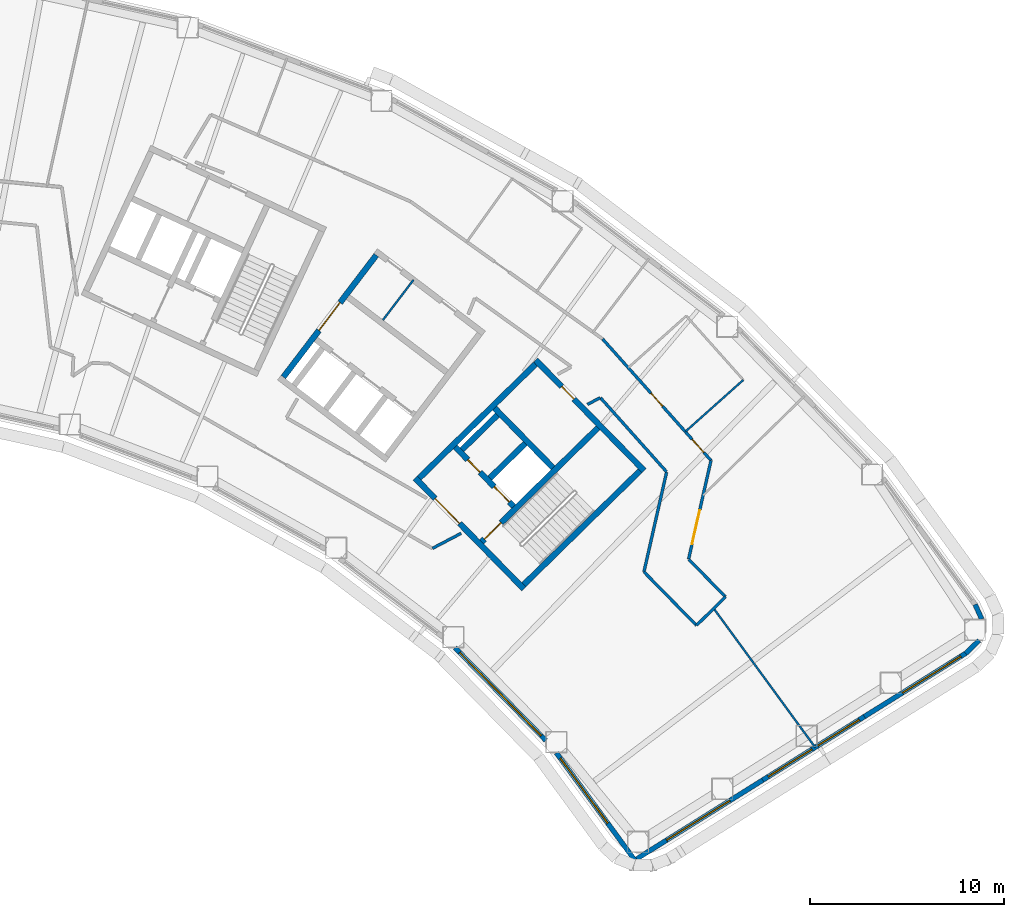
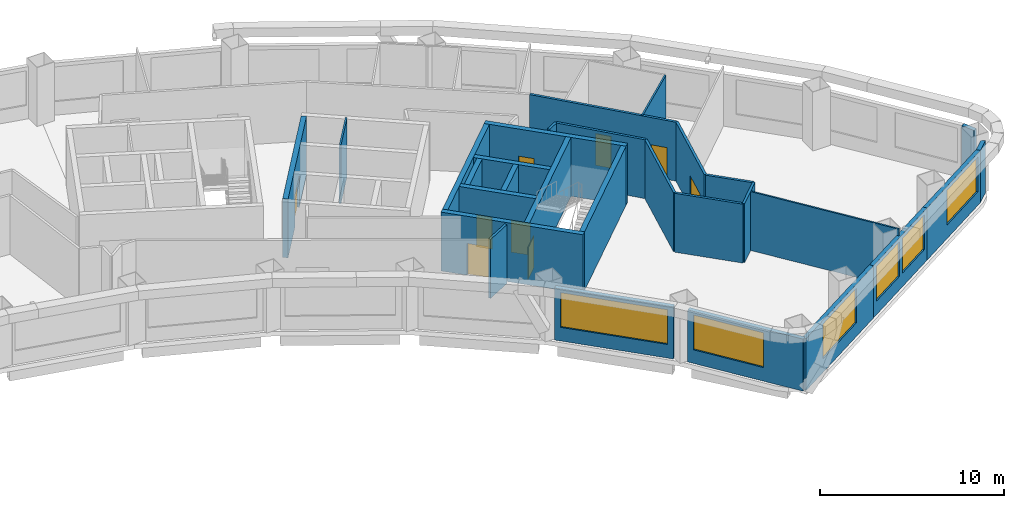
# One storey, part 6 of 13: 29 walls, 9 doors, 6 windows, 15 openings.
"""IFC4 building model written with IfcOpenShell, lengths in metres."""

from ifc_helpers import new_model, si_unit, direction, frame, frame_2d, origin, place, context, subcontext, project, spatial, rectangle, extrude, material, layer, layer_set, type_object, element, fill, save


model = new_model("IFC4")

# Units and contexts
model_context = context("Model", 3, precision=1e-05, world=origin(), true_north=direction((0.0, 1.0)))
body_context = subcontext(model_context, "Body", "Model", "MODEL_VIEW")
ifc_project = project(units=[si_unit("LENGTHUNIT", "METRE"), si_unit("AREAUNIT", "SQUARE_METRE"), si_unit("VOLUMEUNIT", "CUBIC_METRE"), si_unit("PLANEANGLEUNIT", "RADIAN"), si_unit("MASSUNIT", "GRAM", prefix="KILO")], contexts=[model_context])

# Site, building, storey
site_placement = place(None, origin())
site = spatial("IfcSite", under=ifc_project, at=site_placement, CompositionType="ELEMENT")
building_placement = place(site_placement, origin())
building = spatial("IfcBuilding", under=site, at=building_placement, Name="Tuul Gate Civic Tower", CompositionType="ELEMENT")
storey_placement = place(building_placement, frame((0.0, 0.0, 111.89990234375)))
storey = spatial("IfcBuildingStorey", under=building, at=storey_placement, Name="Level 25", CompositionType="ELEMENT", Elevation=111.89990234375)

# Wall, opening, door
ifc_material_1 = material(Name="Concrete C50/60", Category="concrete")
ifc_layer_1 = layer(ifc_material_1, 0.300048828125)
ifc_layer_set_1 = layer_set([ifc_layer_1], Name="Concrete C50/60")
wall_type_1 = type_object("IfcWallType", Name="Core wall C50/60", PredefinedType="SHEAR", material=ifc_layer_set_1)
wall_1_placement = place(storey_placement, frame((48.22509765625, -18.327880859375, 0.0), z_axis=(0.0, 0.0, 1.0), x_axis=(-0.700021979774, 0.714121297703, 0.0)))
wall_1 = element("IfcWall", 1, at=wall_1_placement, inside=storey, type_object=wall_type_1, Name="Core wall", PredefinedType="SHEAR", context=body_context, shape_type="SweptSolid", body=[
    extrude(rectangle(XDim=8.0, YDim=0.300048828125, at=frame_2d((4.0, 0.0))), origin(), (0.0, 0.0, 1.0), 3.900146484375),
])
opening_1_placement = place(wall_1_placement, frame((4.72509765625, 0.0, 0.0)))
opening_1 = element("IfcOpeningElement", 2, at=opening_1_placement, cuts=wall_1, Name="Opening LB-E1-LOBBY-1", PredefinedType="OPENING", context=body_context, shape_type="SweptSolid", body=[
    extrude(rectangle(XDim=1.800048828125, YDim=2.10009765625, at=frame_2d((0.89990234375, 1.050048828125))), frame((0.0, 0.16015625, 0.0), z_axis=(0.0, -1.0, 0.0), x_axis=(1.0, 0.0, 0.0)), (0.0, 0.0, 1.0), 0.320068359375),
])
ifc_material_2 = material(Name="Steel", Category="steel")
door_type_1 = type_object("IfcDoorType", Name="Lobby door", OperationType="DOUBLE_DOOR_SINGLE_SWING", PredefinedType="DOOR", material=ifc_material_2)
door_1_placement = place(opening_1_placement, frame((1.800048828125, 0.0, 0.0), z_axis=(0.0, 0.0, 1.0), x_axis=(-1.0, 0.0, 0.0)))
door_1 = element("IfcDoor", 3, at=door_1_placement, inside=storey, type_object=door_type_1, Name="Lobby door E1-LOBBY", OperationType="DOUBLE_DOOR_SINGLE_SWING", OverallHeight=2.10009765625, OverallWidth=1.800048828125, PredefinedType="DOOR", context=body_context, shape_type="SweptSolid", body=[
    extrude(rectangle(XDim=1.800048828125, YDim=2.10009765625, at=frame_2d((0.900146484375, 1.050048828125))), frame((0.0, 0.02490234375, 0.0), z_axis=(0.0, -1.0, 0.0), x_axis=(1.0, 0.0, 0.0)), (0.0, 0.0, 1.0), 0.050048828125),
])
fill(opening_1, door_1)

# Wall, openings, doors
wall_2_placement = place(storey_placement, frame((47.701904296875, -14.079833984375, 0.0), z_axis=(0.0, 0.0, 1.0), x_axis=(-0.700002721075, 0.714140175657, 0.0)))
wall_2 = element("IfcWall", 4, at=wall_2_placement, inside=storey, type_object=wall_type_1, Name="Core wall", PredefinedType="SHEAR", context=body_context, shape_type="SweptSolid", body=[
    extrude(rectangle(XDim=4.300048828125, YDim=0.300048828125, at=frame_2d((2.14990234375, 0.0))), origin(), (0.0, 0.0, 1.0), 3.900146484375),
])
opening_2_placement = place(wall_2_placement, frame((0.324951171875, 0.0, 0.0)))
opening_2 = element("IfcOpeningElement", 5, at=opening_2_placement, cuts=wall_2, Name="Opening LD-L4", PredefinedType="OPENING", context=body_context, shape_type="SweptSolid", body=[
    extrude(rectangle(XDim=1.10009765625, YDim=2.10009765625, at=frame_2d((0.550048828125, 1.050048828125))), frame((0.0, 0.16015625, 0.0), z_axis=(0.0, -1.0, 0.0), x_axis=(1.0, 0.0, 0.0)), (0.0, 0.0, 1.0), 0.320068359375),
])
opening_3_placement = place(wall_2_placement, frame((2.47509765625, 0.0, 0.0)))
opening_3 = element("IfcOpeningElement", 6, at=opening_3_placement, cuts=wall_2, Name="Opening FB-E1A2", PredefinedType="OPENING", context=body_context, shape_type="SweptSolid", body=[
    extrude(rectangle(XDim=0.89990234375, YDim=2.10009765625, at=frame_2d((0.449951171875, 1.050048828125))), frame((0.0, 0.16015625, 0.0), z_axis=(0.0, -1.0, 0.0), x_axis=(1.0, 0.0, 0.0)), (0.0, 0.0, 1.0), 0.320068359375),
])
ifc_material_3 = material(Name="Stainless steel", Category="steel")
door_type_2 = type_object("IfcDoorType", Name="Landing door", OperationType="DOUBLE_DOOR_SLIDING", PredefinedType="DOOR", material=ifc_material_3)
door_2_placement = place(opening_2_placement, origin())
door_2 = element("IfcDoor", 7, at=door_2_placement, inside=storey, type_object=door_type_2, Name="Low-rise lift L4 landing door", OperationType="DOUBLE_DOOR_SLIDING", OverallHeight=2.10009765625, OverallWidth=1.10009765625, PredefinedType="DOOR", context=body_context, shape_type="SweptSolid", body=[
    extrude(rectangle(XDim=1.10009765625, YDim=2.10009765625, at=frame_2d((0.550048828125, 1.050048828125))), frame((0.0, 0.02490234375, 0.0), z_axis=(0.0, -1.0, 0.0), x_axis=(1.0, 0.0, 0.0)), (0.0, 0.0, 1.0), 0.050048828125),
])
fill(opening_2, door_2)
ifc_material_4 = material(Name="Steel", Category="steel")
door_type_3 = type_object("IfcDoorType", Name="Store door", OperationType="NOTDEFINED", PredefinedType="DOOR", material=ifc_material_4)
door_3_placement = place(opening_3_placement, frame((0.89990234375, 0.0, 0.0), z_axis=(0.0, 0.0, 1.0), x_axis=(-1.0, 0.0, 0.0)))
door_3 = element("IfcDoor", 8, at=door_3_placement, inside=storey, type_object=door_type_3, Name="Store door E1A2", OperationType="SINGLE_SWING_LEFT", OverallHeight=2.10009765625, OverallWidth=0.89990234375, PredefinedType="DOOR", context=body_context, shape_type="SweptSolid", body=[
    extrude(rectangle(XDim=0.89990234375, YDim=2.10009765625, at=frame_2d((0.449951171875, 1.050048828125))), frame((0.0, 0.02490234375, 0.0), z_axis=(0.0, -1.0, 0.0), x_axis=(1.0, 0.0, 0.0)), (0.0, 0.0, 1.0), 0.050048828125),
])
fill(opening_3, door_3)

# Wall
wall_3_placement = place(storey_placement, frame((49.737060546875, -12.0849609375, 0.0), z_axis=(0.0, 0.0, 1.0), x_axis=(-0.700002721075, 0.714140175657, 0.0)))
element("IfcWall", 9, at=wall_3_placement, inside=storey, type_object=wall_type_1, Name="Core wall", PredefinedType="SHEAR", context=body_context, shape_type="SweptSolid", body=[
    extrude(rectangle(XDim=4.300048828125, YDim=0.300048828125, at=frame_2d((2.14990234375, 0.0))), origin(), (0.0, 0.0, 1.0), 3.900146484375),
])

# Wall, opening, door
wall_4_placement = place(storey_placement, frame((54.43798828125, -12.23779296875, 0.0), z_axis=(0.0, 0.0, 1.0), x_axis=(-0.700021979774, 0.714121297703, 0.0)))
wall_4 = element("IfcWall", 10, at=wall_4_placement, inside=storey, type_object=wall_type_1, Name="Core wall", PredefinedType="SHEAR", context=body_context, shape_type="SweptSolid", body=[
    extrude(rectangle(XDim=8.0, YDim=0.300048828125, at=frame_2d((4.0, 0.0))), origin(), (0.0, 0.0, 1.0), 3.900146484375),
])
opening_4_placement = place(wall_4_placement, frame((5.175048828125, 0.0, 0.0)))
opening_4 = element("IfcOpeningElement", 11, at=opening_4_placement, cuts=wall_4, Name="Opening H-D21", PredefinedType="OPENING", context=body_context, shape_type="SweptSolid", body=[
    extrude(rectangle(XDim=0.89990234375, YDim=2.10009765625, at=frame_2d((0.449951171875, 1.050048828125))), frame((0.0, 0.16015625, 0.0), z_axis=(0.0, -1.0, 0.0), x_axis=(1.0, 0.0, 0.0)), (0.0, 0.0, 1.0), 0.320068359375),
])
ifc_material_5 = material(Name="Timber door leaf", Category="wood")
door_type_4 = type_object("IfcDoorType", Name="Door D09", OperationType="NOTDEFINED", PredefinedType="DOOR", material=ifc_material_5)
door_4_placement = place(opening_4_placement, origin())
door_4 = element("IfcDoor", 12, at=door_4_placement, inside=storey, type_object=door_type_4, Name="Door H-D21", OperationType="SINGLE_SWING_LEFT", OverallHeight=2.10009765625, OverallWidth=0.89990234375, PredefinedType="DOOR", context=body_context, shape_type="SweptSolid", body=[
    extrude(rectangle(XDim=0.89990234375, YDim=2.10009765625, at=frame_2d((0.449951171875, 1.050048828125))), frame((0.0, 0.02490234375, 0.0), z_axis=(0.0, -1.0, 0.0), x_axis=(1.0, 0.0, 0.0)), (0.0, 0.0, 1.0), 0.050048828125),
])
fill(opening_4, door_4)

# Wall
wall_5_placement = place(storey_placement, frame((48.227294921875, -18.115966796875, 0.0), z_axis=(0.0, 0.0, 1.0), x_axis=(0.714105315431, 0.700038283577, 0.0)))
element("IfcWall", 13, at=wall_5_placement, inside=storey, type_object=wall_type_1, Name="Core wall", PredefinedType="SHEAR", context=body_context, shape_type="SweptSolid", body=[
    extrude(rectangle(XDim=8.400146484375, YDim=0.300048828125, at=frame_2d((4.2001953125, 0.0))), origin(), (0.0, 0.0, 1.0), 3.900146484375),
])

# Wall, opening, door
wall_6_placement = place(storey_placement, frame((46.05712890625, -15.902099609375, 0.0), z_axis=(0.0, 0.0, 1.0), x_axis=(0.714134086973, 0.700008932674, 0.0)))
wall_6 = element("IfcWall", 14, at=wall_6_placement, inside=storey, type_object=wall_type_1, Name="Core wall", PredefinedType="SHEAR", context=body_context, shape_type="SweptSolid", body=[
    extrude(rectangle(XDim=8.400146484375, YDim=0.300048828125, at=frame_2d((4.2001953125, 0.0))), origin(), (0.0, 0.0, 1.0), 3.900146484375),
])
opening_5_placement = place(wall_6_placement, frame((0.199951171875, 0.0, 0.0)))
opening_5 = element("IfcOpeningElement", 15, at=opening_5_placement, cuts=wall_6, Name="Opening SD-ST-3", PredefinedType="OPENING", context=body_context, shape_type="SweptSolid", body=[
    extrude(rectangle(XDim=1.199951171875, YDim=2.10009765625, at=frame_2d((0.60009765625, 1.050048828125))), frame((0.0, 0.16015625, 0.0), z_axis=(0.0, -1.0, 0.0), x_axis=(1.0, 0.0, 0.0)), (0.0, 0.0, 1.0), 0.320068359375),
])
ifc_material_6 = material(Name="Steel", Category="steel")
door_type_5 = type_object("IfcDoorType", Name="Stair door", OperationType="NOTDEFINED", PredefinedType="DOOR", material=ifc_material_6)
door_5_placement = place(opening_5_placement, origin())
door_5 = element("IfcDoor", 16, at=door_5_placement, inside=storey, type_object=door_type_5, Name="Stair door ST-3", OperationType="SINGLE_SWING_LEFT", OverallHeight=2.10009765625, OverallWidth=1.199951171875, PredefinedType="DOOR", context=body_context, shape_type="SweptSolid", body=[
    extrude(rectangle(XDim=1.199951171875, YDim=2.10009765625, at=frame_2d((0.60009765625, 1.050048828125))), frame((0.0, 0.02490234375, 0.0), z_axis=(0.0, -1.0, 0.0), x_axis=(1.0, 0.0, 0.0)), (0.0, 0.0, 1.0), 0.050048828125),
])
fill(opening_5, door_5)

# Walls
wall_7_placement = place(storey_placement, frame((46.47900390625, -12.617919921875, 0.0), z_axis=(0.0, 0.0, 1.0), x_axis=(0.71410944159, 0.700034074479, 0.0)))
element("IfcWall", 17, at=wall_7_placement, inside=storey, type_object=wall_type_1, Name="Core wall", PredefinedType="SHEAR", context=body_context, shape_type="SweptSolid", body=[
    extrude(rectangle(XDim=2.5498046875, YDim=0.300048828125, at=frame_2d((1.27490234375, 0.0))), origin(), (0.0, 0.0, 1.0), 3.900146484375),
])
wall_8_placement = place(storey_placement, frame((45.0439453125, -11.154052734375, 0.0), z_axis=(0.0, 0.0, 1.0), x_axis=(0.714108498262, 0.700035036773, 0.0)))
element("IfcWall", 18, at=wall_8_placement, inside=storey, type_object=wall_type_1, Name="Core wall", PredefinedType="SHEAR", context=body_context, shape_type="SweptSolid", body=[
    extrude(rectangle(XDim=2.550048828125, YDim=0.300048828125, at=frame_2d((1.27490234375, 0.0))), origin(), (0.0, 0.0, 1.0), 3.900146484375),
])
wall_9_placement = place(storey_placement, frame((42.837158203125, -12.616943359375, 0.0), z_axis=(0.0, 0.0, 1.0), x_axis=(0.714119844755, 0.700023461983, 0.0)))
element("IfcWall", 19, at=wall_9_placement, inside=storey, type_object=wall_type_1, Name="Core wall", PredefinedType="SHEAR", context=body_context, shape_type="SweptSolid", body=[
    extrude(rectangle(XDim=8.39990234375, YDim=0.300048828125, at=frame_2d((4.199951171875, 0.0))), origin(), (0.0, 0.0, 1.0), 3.900146484375),
])
ifc_material_7 = material(Name="Gypsum board partition")
ifc_layer_2 = layer(ifc_material_7, 0.14990234375)
ifc_layer_set_2 = layer_set([ifc_layer_2], Name="Gypsum board partition")
wall_type_2 = type_object("IfcWallType", Name="Corridor wall P150", PredefinedType="PARTITIONING", material=ifc_layer_set_2)
wall_10_placement = place(storey_placement, frame((57.13330078125, -20.214599609375, 0.0), z_axis=(0.0, 0.0, 1.0), x_axis=(0.714162857284, 0.699979580613, 0.0)))
element("IfcWall", 20, at=wall_10_placement, inside=storey, type_object=wall_type_2, Name="p002", PredefinedType="PARTITIONING", context=body_context, shape_type="SweptSolid", body=[
    extrude(rectangle(XDim=2.10009765625, YDim=0.14990234375, at=frame_2d((1.050048828125, 0.0))), origin(), (0.0, 0.0, 1.0), 3.900146484375),
])
wall_11_placement = place(storey_placement, frame((56.735107421875, -16.80859375, 0.0), z_axis=(0.0, 0.0, 1.0), x_axis=(0.700048002163, -0.71409578816, 0.0)))
element("IfcWall", 21, at=wall_11_placement, inside=storey, type_object=wall_type_2, Name="p003", PredefinedType="PARTITIONING", context=body_context, shape_type="SweptSolid", body=[
    extrude(rectangle(XDim=2.711181640625, YDim=0.14990234375, at=frame_2d((1.35546875, 0.0))), origin(), (0.0, 0.0, 1.0), 3.900146484375),
])

# Wall, opening, door
wall_12_placement = place(storey_placement, frame((56.729248046875, -16.794677734375, 0.0), z_axis=(0.0, 0.0, 1.0), x_axis=(0.221165877897, 0.975236204442, 0.0)))
wall_12 = element("IfcWall", 22, at=wall_12_placement, inside=storey, type_object=wall_type_2, Name="p004", PredefinedType="PARTITIONING", context=body_context, shape_type="SweptSolid", body=[
    extrude(rectangle(XDim=5.2158203125, YDim=0.14990234375, at=frame_2d((2.60791015625, 0.0))), origin(), (0.0, 0.0, 1.0), 3.900146484375),
])
opening_6_placement = place(wall_12_placement, frame((0.78564453125, 0.0, 0.0)))
opening_6 = element("IfcOpeningElement", 23, at=opening_6_placement, cuts=wall_12, Name="Opening H-D01", PredefinedType="OPENING", context=body_context, shape_type="SweptSolid", body=[
    extrude(rectangle(XDim=1.800048828125, YDim=2.10009765625, at=frame_2d((0.89990234375, 1.050048828125))), frame((0.0, 0.0849609375, 0.0), z_axis=(0.0, -1.0, 0.0), x_axis=(1.0, 0.0, 0.0)), (0.0, 0.0, 1.0), 0.169921875),
])
ifc_material_8 = material(Name="Timber door leaf, double", Category="wood")
door_type_6 = type_object("IfcDoorType", Name="Door D18", OperationType="DOUBLE_DOOR_SINGLE_SWING", PredefinedType="DOOR", material=ifc_material_8)
door_6_placement = place(opening_6_placement, frame((1.800048828125, 0.0, 0.0), z_axis=(0.0, 0.0, 1.0), x_axis=(-1.0, 0.0, 0.0)))
door_6 = element("IfcDoor", 24, at=door_6_placement, inside=storey, type_object=door_type_6, Name="Door H-D01", OperationType="DOUBLE_DOOR_SINGLE_SWING", OverallHeight=2.10009765625, OverallWidth=1.800048828125, PredefinedType="DOOR", context=body_context, shape_type="SweptSolid", body=[
    extrude(rectangle(XDim=1.800048828125, YDim=2.10009765625, at=frame_2d((0.900146484375, 1.050048828125))), frame((0.0, 0.02490234375, 0.0), z_axis=(0.0, -1.0, 0.0), x_axis=(1.0, 0.0, 0.0)), (0.0, 0.0, 1.0), 0.050048828125),
])
fill(opening_6, door_6)

# Wall, openings, doors
wall_13_placement = place(storey_placement, frame((52.29248046875, -5.44287109375, 0.0), z_axis=(0.0, 0.0, 1.0), x_axis=(0.665799077585, -0.746131079829, 0.0)))
wall_13 = element("IfcWall", 25, at=wall_13_placement, inside=storey, type_object=wall_type_2, Name="p006", PredefinedType="PARTITIONING", context=body_context, shape_type="SweptSolid", body=[
    extrude(rectangle(XDim=8.397216796875, YDim=0.14990234375, at=frame_2d((4.19873046875, 0.0))), origin(), (0.0, 0.0, 1.0), 3.900146484375),
])
opening_7_placement = place(wall_13_placement, frame((3.748291015625, 0.0, 0.0)))
opening_7 = element("IfcOpeningElement", 26, at=opening_7_placement, cuts=wall_13, Name="Opening H-D02", PredefinedType="OPENING", context=body_context, shape_type="SweptSolid", body=[
    extrude(rectangle(XDim=0.89990234375, YDim=2.10009765625, at=frame_2d((0.449951171875, 1.050048828125))), frame((0.0, 0.0849609375, 0.0), z_axis=(0.0, -1.0, 0.0), x_axis=(1.0, 0.0, 0.0)), (0.0, 0.0, 1.0), 0.169921875),
])
opening_8_placement = place(wall_13_placement, frame((6.938232421875, 0.0, 0.0)))
opening_8 = element("IfcOpeningElement", 27, at=opening_8_placement, cuts=wall_13, Name="Opening H-D15", PredefinedType="OPENING", context=body_context, shape_type="SweptSolid", body=[
    extrude(rectangle(XDim=0.89990234375, YDim=2.10009765625, at=frame_2d((0.449951171875, 1.050048828125))), frame((0.0, 0.0849609375, 0.0), z_axis=(0.0, -1.0, 0.0), x_axis=(1.0, 0.0, 0.0)), (0.0, 0.0, 1.0), 0.169921875),
])
door_7_placement = place(opening_7_placement, origin())
door_7 = element("IfcDoor", 28, at=door_7_placement, inside=storey, type_object=door_type_4, Name="Door H-D02", OperationType="SINGLE_SWING_RIGHT", OverallHeight=2.10009765625, OverallWidth=0.89990234375, PredefinedType="DOOR", context=body_context, shape_type="SweptSolid", body=[
    extrude(rectangle(XDim=0.89990234375, YDim=2.10009765625, at=frame_2d((0.449951171875, 1.050048828125))), frame((0.0, 0.02490234375, 0.0), z_axis=(0.0, -1.0, 0.0), x_axis=(1.0, 0.0, 0.0)), (0.0, 0.0, 1.0), 0.050048828125),
])
fill(opening_7, door_7)
door_8_placement = place(opening_8_placement, origin())
door_8 = element("IfcDoor", 29, at=door_8_placement, inside=storey, type_object=door_type_4, Name="Door H-D15", OperationType="SINGLE_SWING_LEFT", OverallHeight=2.10009765625, OverallWidth=0.89990234375, PredefinedType="DOOR", context=body_context, shape_type="SweptSolid", body=[
    extrude(rectangle(XDim=0.89990234375, YDim=2.10009765625, at=frame_2d((0.449951171875, 1.050048828125))), frame((0.0, 0.02490234375, 0.0), z_axis=(0.0, -1.0, 0.0), x_axis=(1.0, 0.0, 0.0)), (0.0, 0.0, 1.0), 0.050048828125),
])
fill(opening_8, door_8)

# Walls
wall_14_placement = place(storey_placement, frame((43.515869140625, -16.243408203125, 0.0), z_axis=(0.0, 0.0, 1.0), x_axis=(0.885325882858, 0.46497105409, 0.0)))
element("IfcWall", 30, at=wall_14_placement, inside=storey, type_object=wall_type_2, Name="p064", PredefinedType="PARTITIONING", context=body_context, shape_type="SweptSolid", body=[
    extrude(rectangle(XDim=1.67431640625, YDim=0.14990234375, at=frame_2d((0.837158203125, 0.0))), origin(), (0.0, 0.0, 1.0), 3.900146484375),
])
wall_15_placement = place(storey_placement, frame((51.510009765625, -8.822509765625, 0.0), z_axis=(0.0, 0.0, 1.0), x_axis=(0.881307973223, 0.472542332849, 0.0)))
element("IfcWall", 31, at=wall_15_placement, inside=storey, type_object=wall_type_2, Name="p065", PredefinedType="PARTITIONING", context=body_context, shape_type="SweptSolid", body=[
    extrude(rectangle(XDim=0.73876953125, YDim=0.14990234375, at=frame_2d((0.369384765625, 0.0))), origin(), (0.0, 0.0, 1.0), 3.900146484375),
])
wall_16_placement = place(storey_placement, frame((52.186279296875, -8.477783203125, 0.0), z_axis=(0.0, 0.0, 1.0), x_axis=(0.665785985921, -0.746142761776, 0.0)))
element("IfcWall", 32, at=wall_16_placement, inside=storey, type_object=wall_type_2, Name="p066", PredefinedType="PARTITIONING", context=body_context, shape_type="SweptSolid", body=[
    extrude(rectangle(XDim=5.1103515625, YDim=0.14990234375, at=frame_2d((2.55517578125, 0.0))), origin(), (0.0, 0.0, 1.0), 3.900146484375),
])
wall_17_placement = place(storey_placement, frame((54.42578125, -17.452392578125, 0.0), z_axis=(0.0, 0.0, 1.0), x_axis=(0.221368990487, 0.975190119951, 0.0)))
element("IfcWall", 33, at=wall_17_placement, inside=storey, type_object=wall_type_2, Name="p067", PredefinedType="PARTITIONING", context=body_context, shape_type="SweptSolid", body=[
    extrude(rectangle(XDim=5.27392578125, YDim=0.14990234375, at=frame_2d((2.636962890625, 0.0))), origin(), (0.0, 0.0, 1.0), 3.900146484375),
])
wall_18_placement = place(storey_placement, frame((54.42578125, -17.452392578125, 0.0), z_axis=(0.0, 0.0, 1.0), x_axis=(0.700001989111, -0.71414089313, 0.0)))
element("IfcWall", 34, at=wall_18_placement, inside=storey, type_object=wall_type_2, Name="p068", PredefinedType="PARTITIONING", context=body_context, shape_type="SweptSolid", body=[
    extrude(rectangle(XDim=3.867919921875, YDim=0.14990234375, at=frame_2d((1.93408203125, 0.0))), origin(), (0.0, 0.0, 1.0), 3.900146484375),
])
ifc_material_9 = material(Name="Precast concrete C40/50", Category="concrete")
ifc_layer_3 = layer(ifc_material_9, 0.25)
ifc_layer_set_3 = layer_set([ifc_layer_3], Name="Precast concrete C40/50")
wall_type_3 = type_object("IfcWallType", Name="External wall", PredefinedType="STANDARD", material=ifc_layer_set_3)
wall_19_placement = place(storey_placement, frame((71.01953125, -21.65478515625, 0.0), z_axis=(0.0, 0.0, 1.0), x_axis=(0.721494337976, 0.692420334961, 0.0)))
element("IfcWall", 35, at=wall_19_placement, inside=storey, type_object=wall_type_3, Name="External wall", PredefinedType="STANDARD", context=body_context, shape_type="SweptSolid", body=[
    extrude(rectangle(XDim=0.957275390625, YDim=0.25, at=frame_2d((0.478515625, 0.0))), origin(), (0.0, 0.0, 1.0), 3.4501953125),
])
wall_20_placement = place(storey_placement, frame((71.84765625, -19.89208984375, 0.0), z_axis=(0.0, 0.0, 1.0), x_axis=(-0.412982206982, 0.910739093658, 0.0)))
element("IfcWall", 36, at=wall_20_placement, inside=storey, type_object=wall_type_3, Name="External wall", PredefinedType="STANDARD", context=body_context, shape_type="SweptSolid", body=[
    extrude(rectangle(XDim=0.829345703125, YDim=0.25, at=frame_2d((0.41455078125, 0.0))), origin(), (0.0, 0.0, 1.0), 3.4501953125),
])

# Wall, opening, window
wall_21_placement = place(storey_placement, frame((44.679931640625, -21.366943359375, 0.0), z_axis=(0.0, 0.0, 1.0), x_axis=(0.700023947057, -0.714119369256, 0.0)))
wall_21 = element("IfcWall", 37, at=wall_21_placement, inside=storey, type_object=wall_type_3, Name="External wall", PredefinedType="STANDARD", context=body_context, shape_type="SweptSolid", body=[
    extrude(rectangle(XDim=6.685791015625, YDim=0.25, at=frame_2d((3.3427734375, 0.0))), origin(), (0.0, 0.0, 1.0), 3.4501953125),
])
opening_9_placement = place(wall_21_placement, frame((0.343994140625, 0.0, 0.89990234375)))
opening_9 = element("IfcOpeningElement", 38, at=opening_9_placement, cuts=wall_21, Name="Opening W26", PredefinedType="OPENING", context=body_context, shape_type="SweptSolid", body=[
    extrude(rectangle(XDim=6.0, YDim=2.300048828125, at=frame_2d((3.0, 1.14990234375))), frame((0.0, 0.135009765625, 0.0), z_axis=(0.0, -1.0, 0.0), x_axis=(1.0, 0.0, 0.0)), (0.0, 0.0, 1.0), 0.27001953125),
])
ifc_material_10 = material(Name="Glass", Category="glass")
window_type_1 = type_object("IfcWindowType", Name="Window W26 6000 x 2300", PartitioningType="SINGLE_PANEL", PredefinedType="WINDOW", material=ifc_material_10)
window_1_placement = place(opening_9_placement, origin())
window_1 = element("IfcWindow", 39, at=window_1_placement, inside=storey, type_object=window_type_1, Name="Window", OverallHeight=2.300048828125, OverallWidth=6.0, PartitioningType="SINGLE_PANEL", PredefinedType="WINDOW", context=body_context, shape_type="SweptSolid", body=[
    extrude(rectangle(XDim=6.0, YDim=2.300048828125, at=frame_2d((3.0, 1.14990234375))), frame((0.0, 0.030029296875, 0.0), z_axis=(0.0, -1.0, 0.0), x_axis=(1.0, 0.0, 0.0)), (0.0, 0.0, 1.0), 0.06005859375),
])
fill(opening_9, window_1)

wall_22_placement = place(storey_placement, frame((49.9091796875, -26.7880859375, 0.0), z_axis=(0.0, 0.0, 1.0), x_axis=(0.589741263703, -0.807592249769, 0.0)))
wall_22 = element("IfcWall", 40, at=wall_22_placement, inside=storey, type_object=wall_type_3, Name="External wall", PredefinedType="STANDARD", context=body_context, shape_type="SweptSolid", body=[
    extrude(rectangle(XDim=6.848388671875, YDim=0.25, at=frame_2d((3.42431640625, 0.0))), origin(), (0.0, 0.0, 1.0), 3.4501953125),
])
opening_10_placement = place(wall_22_placement, frame((0.341796875, 0.0, 0.89990234375)))
opening_10 = element("IfcOpeningElement", 41, at=opening_10_placement, cuts=wall_22, Name="Opening W25", PredefinedType="OPENING", context=body_context, shape_type="SweptSolid", body=[
    extrude(rectangle(XDim=4.14990234375, YDim=2.300048828125, at=frame_2d((2.074951171875, 1.14990234375))), frame((0.0, 0.135009765625, 0.0), z_axis=(0.0, -1.0, 0.0), x_axis=(1.0, 0.0, 0.0)), (0.0, 0.0, 1.0), 0.27001953125),
])
ifc_material_11 = material(Name="Glass", Category="glass")
window_type_2 = type_object("IfcWindowType", Name="Window W25 4150 x 2300", PartitioningType="SINGLE_PANEL", PredefinedType="WINDOW", material=ifc_material_11)
window_2_placement = place(opening_10_placement, origin())
window_2 = element("IfcWindow", 42, at=window_2_placement, inside=storey, type_object=window_type_2, Name="Window", OverallHeight=2.300048828125, OverallWidth=4.14990234375, PartitioningType="SINGLE_PANEL", PredefinedType="WINDOW", context=body_context, shape_type="SweptSolid", body=[
    extrude(rectangle(XDim=4.14990234375, YDim=2.300048828125, at=frame_2d((2.074951171875, 1.14990234375))), frame((0.0, 0.030029296875, 0.0), z_axis=(0.0, -1.0, 0.0), x_axis=(1.0, 0.0, 0.0)), (0.0, 0.0, 1.0), 0.06005859375),
])
fill(opening_10, window_2)

wall_23_placement = place(storey_placement, frame((53.947998046875, -32.31884765625, 0.0), z_axis=(0.0, 0.0, 1.0), x_axis=(0.848051131154, 0.529914407191, 0.0)))
wall_23 = element("IfcWall", 43, at=wall_23_placement, inside=storey, type_object=wall_type_3, Name="External wall", PredefinedType="STANDARD", context=body_context, shape_type="SweptSolid", body=[
    extrude(rectangle(XDim=7.788330078125, YDim=0.25, at=frame_2d((3.89404296875, 0.0))), origin(), (0.0, 0.0, 1.0), 3.4501953125),
])
opening_11_placement = place(wall_23_placement, frame((1.944091796875, 0.0, 0.89990234375)))
opening_11 = element("IfcOpeningElement", 44, at=opening_11_placement, cuts=wall_23, Name="Opening W22", PredefinedType="OPENING", context=body_context, shape_type="SweptSolid", body=[
    extrude(rectangle(XDim=3.85009765625, YDim=2.300048828125, at=frame_2d((1.925048828125, 1.14990234375))), frame((0.0, 0.135009765625, 0.0), z_axis=(0.0, -1.0, 0.0), x_axis=(1.0, 0.0, 0.0)), (0.0, 0.0, 1.0), 0.27001953125),
])
ifc_material_12 = material(Name="Glass", Category="glass")
window_type_3 = type_object("IfcWindowType", Name="Window W22 3850 x 2300", PartitioningType="SINGLE_PANEL", PredefinedType="WINDOW", material=ifc_material_12)
window_3_placement = place(opening_11_placement, origin())
window_3 = element("IfcWindow", 45, at=window_3_placement, inside=storey, type_object=window_type_3, Name="Window", OverallHeight=2.300048828125, OverallWidth=3.85009765625, PartitioningType="SINGLE_PANEL", PredefinedType="WINDOW", context=body_context, shape_type="SweptSolid", body=[
    extrude(rectangle(XDim=3.85009765625, YDim=2.300048828125, at=frame_2d((1.925048828125, 1.14990234375))), frame((0.0, 0.030029296875, 0.0), z_axis=(0.0, -1.0, 0.0), x_axis=(1.0, 0.0, 0.0)), (0.0, 0.0, 1.0), 0.06005859375),
])
fill(opening_11, window_3)

# Wall, openings, windows
wall_24_placement = place(storey_placement, frame((60.552978515625, -28.191650390625, 0.0), z_axis=(0.0, 0.0, 1.0), x_axis=(0.848053758074, 0.529910203164, 0.0)))
wall_24 = element("IfcWall", 46, at=wall_24_placement, inside=storey, type_object=wall_type_3, Name="External wall", PredefinedType="STANDARD", context=body_context, shape_type="SweptSolid", body=[
    extrude(rectangle(XDim=6.182861328125, YDim=0.25, at=frame_2d((3.09130859375, 0.0))), origin(), (0.0, 0.0, 1.0), 3.4501953125),
])
opening_12_placement = place(wall_24_placement, frame((0.339111328125, 0.0, 0.89990234375)))
opening_12 = element("IfcOpeningElement", 47, at=opening_12_placement, cuts=wall_24, Name="Opening W37", PredefinedType="OPENING", context=body_context, shape_type="SweptSolid", body=[
    extrude(rectangle(XDim=2.64990234375, YDim=2.300048828125, at=frame_2d((1.324951171875, 1.14990234375))), frame((0.0, 0.135009765625, 0.0), z_axis=(0.0, -1.0, 0.0), x_axis=(1.0, 0.0, 0.0)), (0.0, 0.0, 1.0), 0.27001953125),
])
opening_13_placement = place(wall_24_placement, frame((3.3642578125, 0.0, 0.89990234375)))
opening_13 = element("IfcOpeningElement", 48, at=opening_13_placement, cuts=wall_24, Name="Opening W38", PredefinedType="OPENING", context=body_context, shape_type="SweptSolid", body=[
    extrude(rectangle(XDim=2.5, YDim=2.300048828125, at=frame_2d((1.25, 1.14990234375))), frame((0.0, 0.135009765625, 0.0), z_axis=(0.0, -1.0, 0.0), x_axis=(1.0, 0.0, 0.0)), (0.0, 0.0, 1.0), 0.27001953125),
])
ifc_material_13 = material(Name="Glass", Category="glass")
window_type_4 = type_object("IfcWindowType", Name="Window 2500 x 2300", PartitioningType="SINGLE_PANEL", PredefinedType="WINDOW", material=ifc_material_13)
window_4_placement = place(opening_13_placement, origin())
window_4 = element("IfcWindow", 49, at=window_4_placement, inside=storey, type_object=window_type_4, Name="Window", OverallHeight=2.300048828125, OverallWidth=2.5, PartitioningType="SINGLE_PANEL", PredefinedType="WINDOW", context=body_context, shape_type="SweptSolid", body=[
    extrude(rectangle(XDim=2.5, YDim=2.300048828125, at=frame_2d((1.25, 1.14990234375))), frame((0.0, 0.030029296875, 0.0), z_axis=(0.0, -1.0, 0.0), x_axis=(1.0, 0.0, 0.0)), (0.0, 0.0, 1.0), 0.06005859375),
])
fill(opening_13, window_4)
ifc_material_14 = material(Name="Glass", Category="glass")
window_type_5 = type_object("IfcWindowType", Name="Window 2650 x 2300", PartitioningType="SINGLE_PANEL", PredefinedType="WINDOW", material=ifc_material_14)
window_5_placement = place(opening_12_placement, origin())
window_5 = element("IfcWindow", 50, at=window_5_placement, inside=storey, type_object=window_type_5, Name="Window", OverallHeight=2.300048828125, OverallWidth=2.64990234375, PartitioningType="SINGLE_PANEL", PredefinedType="WINDOW", context=body_context, shape_type="SweptSolid", body=[
    extrude(rectangle(XDim=2.64990234375, YDim=2.300048828125, at=frame_2d((1.324951171875, 1.14990234375))), frame((0.0, 0.030029296875, 0.0), z_axis=(0.0, -1.0, 0.0), x_axis=(1.0, 0.0, 0.0)), (0.0, 0.0, 1.0), 0.06005859375),
])
fill(opening_12, window_5)

# Wall, opening, window
wall_25_placement = place(storey_placement, frame((65.79638671875, -24.915283203125, 0.0), z_axis=(0.0, 0.0, 1.0), x_axis=(0.848053758074, 0.529910203164, 0.0)))
wall_25 = element("IfcWall", 51, at=wall_25_placement, inside=storey, type_object=wall_type_3, Name="External wall", PredefinedType="STANDARD", context=body_context, shape_type="SweptSolid", body=[
    extrude(rectangle(XDim=6.182861328125, YDim=0.25, at=frame_2d((3.09130859375, 0.0))), origin(), (0.0, 0.0, 1.0), 3.4501953125),
])
opening_14_placement = place(wall_25_placement, frame((2.30908203125, 0.0, 0.89990234375)))
opening_14 = element("IfcOpeningElement", 52, at=opening_14_placement, cuts=wall_25, Name="Opening W112", PredefinedType="OPENING", context=body_context, shape_type="SweptSolid", body=[
    extrude(rectangle(XDim=3.550048828125, YDim=2.300048828125, at=frame_2d((1.77490234375, 1.14990234375))), frame((0.0, 0.135009765625, 0.0), z_axis=(0.0, -1.0, 0.0), x_axis=(1.0, 0.0, 0.0)), (0.0, 0.0, 1.0), 0.27001953125),
])
ifc_material_15 = material(Name="Glass", Category="glass")
window_type_6 = type_object("IfcWindowType", Name="Window W112 3550 x 2300", PartitioningType="SINGLE_PANEL", PredefinedType="WINDOW", material=ifc_material_15)
window_6_placement = place(opening_14_placement, origin())
window_6 = element("IfcWindow", 53, at=window_6_placement, inside=storey, type_object=window_type_6, Name="Window", OverallHeight=2.300048828125, OverallWidth=3.550048828125, PartitioningType="SINGLE_PANEL", PredefinedType="WINDOW", context=body_context, shape_type="SweptSolid", body=[
    extrude(rectangle(XDim=3.550048828125, YDim=2.300048828125, at=frame_2d((1.77490234375, 1.14990234375))), frame((0.0, 0.030029296875, 0.0), z_axis=(0.0, -1.0, 0.0), x_axis=(1.0, 0.0, 0.0)), (0.0, 0.0, 1.0), 0.06005859375),
])
fill(opening_14, window_6)

# Wall, opening, door
ifc_material_16 = material(Name="Concrete C40/50", Category="concrete")
ifc_layer_4 = layer(ifc_material_16, 0.300048828125)
ifc_layer_set_4 = layer_set([ifc_layer_4], Name="Concrete C40/50")
wall_type_4 = type_object("IfcWallType", Name="Lift shaft wall C40/50", PredefinedType="STANDARD", material=ifc_layer_set_4)
wall_26_placement = place(storey_placement, frame((35.8330078125, -7.408203125, 0.0), z_axis=(0.0, 0.0, 1.0), x_axis=(0.605769437763, 0.795640237967, 0.0)))
wall_26 = element("IfcWall", 54, at=wall_26_placement, inside=storey, type_object=wall_type_4, Name="Shaft wall", PredefinedType="STANDARD", context=body_context, shape_type="SweptSolid", body=[
    extrude(rectangle(XDim=7.900146484375, YDim=0.300048828125, at=frame_2d((3.9501953125, 0.0))), origin(), (0.0, 0.0, 1.0), 3.900146484375),
])
opening_15_placement = place(wall_26_placement, frame((3.02490234375, 0.0, 0.0)))
opening_15 = element("IfcOpeningElement", 55, at=opening_15_placement, cuts=wall_26, Name="Opening LB-E2-LOBBY-1", PredefinedType="OPENING", context=body_context, shape_type="SweptSolid", body=[
    extrude(rectangle(XDim=1.800048828125, YDim=2.10009765625, at=frame_2d((0.89990234375, 1.050048828125))), frame((0.0, 0.16015625, 0.0), z_axis=(0.0, -1.0, 0.0), x_axis=(1.0, 0.0, 0.0)), (0.0, 0.0, 1.0), 0.320068359375),
])
door_9_placement = place(opening_15_placement, frame((1.800048828125, 0.0, 0.0), z_axis=(0.0, 0.0, 1.0), x_axis=(-1.0, 0.0, 0.0)))
door_9 = element("IfcDoor", 56, at=door_9_placement, inside=storey, type_object=door_type_1, Name="Lobby door E2-LOBBY", OperationType="DOUBLE_DOOR_SINGLE_SWING", OverallHeight=2.10009765625, OverallWidth=1.800048828125, PredefinedType="DOOR", context=body_context, shape_type="SweptSolid", body=[
    extrude(rectangle(XDim=1.800048828125, YDim=2.10009765625, at=frame_2d((0.900146484375, 1.050048828125))), frame((0.0, 0.02490234375, 0.0), z_axis=(0.0, -1.0, 0.0), x_axis=(1.0, 0.0, 0.0)), (0.0, 0.0, 1.0), 0.050048828125),
])
fill(opening_15, door_9)

# Walls
ifc_material_17 = material(Name="Gypsum board partition")
ifc_layer_5 = layer(ifc_material_17, 0.10009765625)
ifc_layer_set_5 = layer_set([ifc_layer_5], Name="Gypsum board partition")
wall_type_5 = type_object("IfcWallType", Name="Partition P100", PredefinedType="PARTITIONING", material=ifc_layer_set_5)
wall_27_placement = place(storey_placement, frame((58.03271484375, -19.352783203125, 0.0), z_axis=(0.0, 0.0, 1.0), x_axis=(0.589815518848, -0.807538019988, 0.0)))
element("IfcWall", 57, at=wall_27_placement, inside=storey, type_object=wall_type_5, Name="p001", PredefinedType="PARTITIONING", context=body_context, shape_type="SweptSolid", body=[
    extrude(rectangle(XDim=8.859619140625, YDim=0.10009765625, at=frame_2d((4.4296875, 0.0))), origin(), (0.0, 0.0, 1.0), 3.900146484375),
])
wall_28_placement = place(storey_placement, frame((56.55908203125, -10.224365234375, 0.0), z_axis=(0.0, 0.0, 1.0), x_axis=(0.746175267407, 0.665749555246, 0.0)))
element("IfcWall", 58, at=wall_28_placement, inside=storey, type_object=wall_type_5, Name="p009", PredefinedType="PARTITIONING", context=body_context, shape_type="SweptSolid", body=[
    extrude(rectangle(XDim=4.010009765625, YDim=0.10009765625, at=frame_2d((2.0048828125, 0.0))), origin(), (0.0, 0.0, 1.0), 3.900146484375),
])
wall_29_placement = place(storey_placement, frame((40.96435546875, -4.46533203125, 0.0), z_axis=(0.0, 0.0, 1.0), x_axis=(0.605768745095, 0.795640765337, 0.0)))
element("IfcWall", 59, at=wall_29_placement, inside=storey, type_object=wall_type_5, Name="bE2-BAND-0", PredefinedType="PARTITIONING", context=body_context, shape_type="SweptSolid", body=[
    extrude(rectangle(XDim=2.599853515625, YDim=0.10009765625, at=frame_2d((1.2998046875, 0.0))), origin(), (0.0, 0.0, 1.0), 3.900146484375),
])

save(model, "model.ifc")
